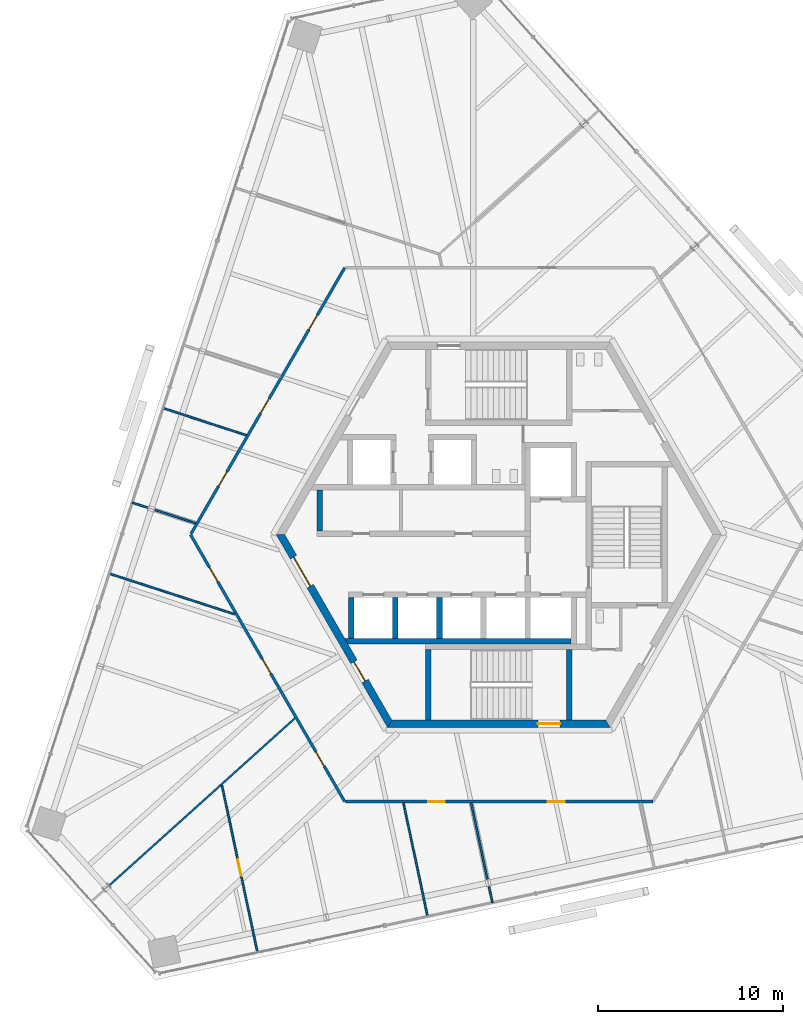
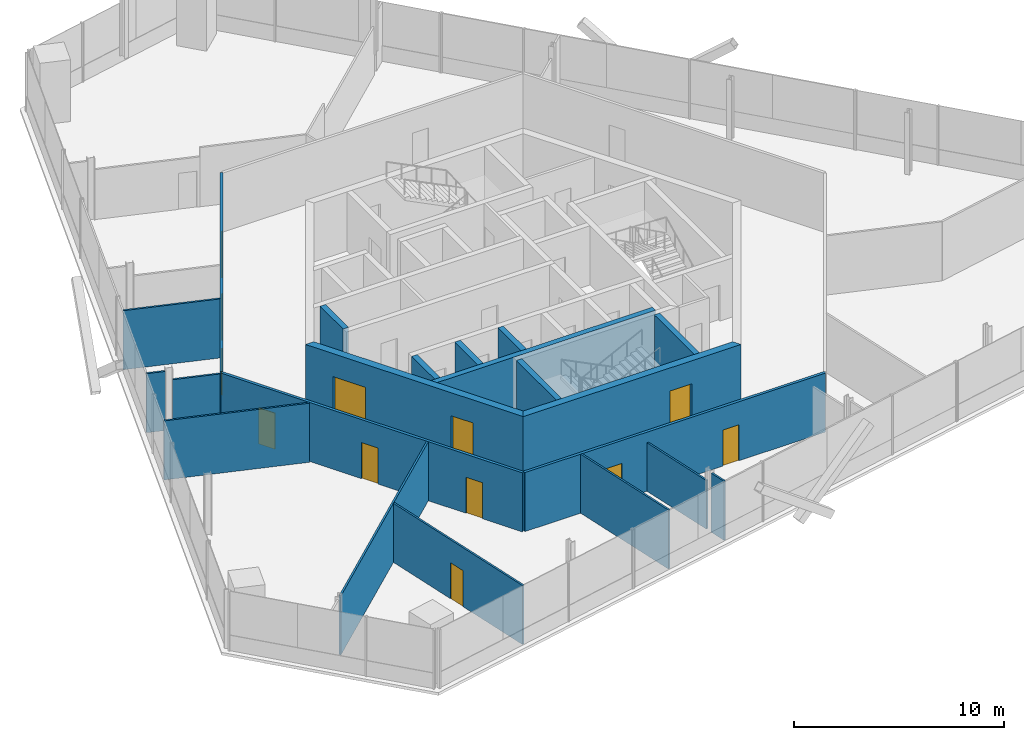
# One storey, part 10 of 15: 21 walls, 12 doors, 12 openings.
"""IFC4 building model written with IfcOpenShell, lengths in metres."""

from ifc_helpers import new_model, si_unit, direction, frame, frame_2d, origin, place, context, subcontext, project, spatial, polyline, rectangle, outline, extrude, source, transform, mapped, material, layer, layer_set, type_object, element, fill, save


model = new_model("IFC4")

# Units and contexts
model_context = context("Model", 3, precision=1e-05, world=origin(), true_north=direction((0.0, 1.0)))
body_context = subcontext(model_context, "Body", "Model", "MODEL_VIEW")
ifc_project = project(units=[si_unit("LENGTHUNIT", "METRE"), si_unit("AREAUNIT", "SQUARE_METRE"), si_unit("VOLUMEUNIT", "CUBIC_METRE"), si_unit("PLANEANGLEUNIT", "RADIAN"), si_unit("MASSUNIT", "GRAM", prefix="KILO")], contexts=[model_context])

# Site, building, storey
site_placement = place(None, origin())
site = spatial("IfcSite", under=ifc_project, at=site_placement, CompositionType="ELEMENT")
building_placement = place(site_placement, origin())
building = spatial("IfcBuilding", under=site, at=building_placement, Name="Triune Harvest Tower", CompositionType="ELEMENT")
storey_placement = place(building_placement, frame((0.0, 0.0, 277.5)))
storey = spatial("IfcBuildingStorey", under=building, at=storey_placement, Name="L73", CompositionType="ELEMENT", Elevation=277.5)

# Wall, openings, doors
ifc_material_1 = material(Name="Gypsum board on steel studs", Category="steel")
ifc_layer_1 = layer(ifc_material_1, 0.14990234375)
ifc_layer_set_1 = layer_set([ifc_layer_1], Name="Gypsum board on steel studs")
wall_type_1 = type_object("IfcWallType", Name="Fire Partition 150 mm", PredefinedType="PARTITIONING", material=ifc_layer_set_1)
wall_1_placement = place(storey_placement, frame((-16.618896484375, 0.0, 0.0), z_axis=(0.0, 0.0, 1.0), x_axis=(0.500006878248, -0.86602143259, 0.0)))
wall_1 = element("IfcWall", 1, at=wall_1_placement, inside=storey, type_object=wall_type_1, Name="Partition L73 009", PredefinedType="PARTITIONING", context=body_context, shape_type="SweptSolid", body=[
    extrude(rectangle(XDim=16.618896484375, YDim=0.14990234375, at=frame_2d((8.3095703125, 0.0))), origin(), (0.0, 0.0, 1.0), 3.43994140625),
])
opening_1_placement = place(wall_1_placement, frame((7.750732421875, 0.0, 0.0)))
opening_1 = element("IfcOpeningElement", 2, at=opening_1_placement, cuts=wall_1, Name="Opening L73-007", PredefinedType="OPENING", context=body_context, shape_type="SweptSolid", body=[
    extrude(rectangle(XDim=0.89990234375, YDim=2.10009765625, at=frame_2d((0.449951171875, 1.050048828125))), frame((0.0, 0.0849609375, 0.0), z_axis=(0.0, -1.0, 0.0), x_axis=(1.0, 0.0, 0.0)), (0.0, 0.0, 1.0), 0.169921875),
])
opening_2_placement = place(wall_1_placement, frame((2.050048828125, 0.0, 0.0)))
opening_2 = element("IfcOpeningElement", 3, at=opening_2_placement, cuts=wall_1, Name="Opening L73-008", PredefinedType="OPENING", context=body_context, shape_type="SweptSolid", body=[
    extrude(rectangle(XDim=0.89990234375, YDim=2.10009765625, at=frame_2d((0.449951171875, 1.050048828125))), frame((0.0, 0.0849609375, 0.0), z_axis=(0.0, -1.0, 0.0), x_axis=(1.0, 0.0, 0.0)), (0.0, 0.0, 1.0), 0.169921875),
])
opening_3_placement = place(wall_1_placement, frame((13.518798828125, 0.0, 0.0)))
opening_3 = element("IfcOpeningElement", 4, at=opening_3_placement, cuts=wall_1, Name="Opening L73-010", PredefinedType="OPENING", context=body_context, shape_type="SweptSolid", body=[
    extrude(rectangle(XDim=0.89990234375, YDim=2.10009765625, at=frame_2d((0.449951171875, 1.050048828125))), frame((0.0, 0.0849609375, 0.0), z_axis=(0.0, -1.0, 0.0), x_axis=(1.0, 0.0, 0.0)), (0.0, 0.0, 1.0), 0.169921875),
])
ifc_material_2 = material(Name="Timber and steel door set", Category="steel")
door_type_1 = type_object("IfcDoorType", Name="Single leaf door FD30 left hand 900 x 2100", OperationType="SINGLE_SWING_LEFT", PredefinedType="DOOR", material=ifc_material_2)
door_1_placement = place(opening_3_placement, origin())
door_1 = element("IfcDoor", 5, at=door_1_placement, inside=storey, type_object=door_type_1, Name="Door L73-010 Office 73.10", OperationType="SINGLE_SWING_LEFT", OverallHeight=2.10009765625, OverallWidth=0.89990234375, PredefinedType="DOOR", context=body_context, shape_type="SweptSolid", body=[
    extrude(rectangle(XDim=0.89990234375, YDim=2.10009765625, at=frame_2d((0.449951171875, 1.050048828125))), frame((0.0, 0.02490234375, 0.0), z_axis=(0.0, -1.0, 0.0), x_axis=(1.0, 0.0, 0.0)), (0.0, 0.0, 1.0), 0.050048828125),
])
fill(opening_3, door_1)
ifc_material_3 = material(Name="Timber and steel door set", Category="steel")
door_type_2 = type_object("IfcDoorType", Name="Single leaf door FD30 right hand 900 x 2100", OperationType="SINGLE_SWING_RIGHT", PredefinedType="DOOR", material=ifc_material_3)
door_2_placement = place(opening_1_placement, origin())
door_2 = element("IfcDoor", 6, at=door_2_placement, inside=storey, type_object=door_type_2, Name="Door L73-007 Office 73.07", OperationType="SINGLE_SWING_RIGHT", OverallHeight=2.10009765625, OverallWidth=0.89990234375, PredefinedType="DOOR", context=body_context, shape_type="SweptSolid", body=[
    extrude(rectangle(XDim=0.89990234375, YDim=2.10009765625, at=frame_2d((0.449951171875, 1.050048828125))), frame((0.0, 0.02490234375, 0.0), z_axis=(0.0, -1.0, 0.0), x_axis=(1.0, 0.0, 0.0)), (0.0, 0.0, 1.0), 0.050048828125),
])
fill(opening_1, door_2)
door_3_placement = place(opening_2_placement, origin())
door_3 = element("IfcDoor", 7, at=door_3_placement, inside=storey, type_object=door_type_2, Name="Door L73-008 Office 73.08", OperationType="SINGLE_SWING_RIGHT", OverallHeight=2.10009765625, OverallWidth=0.89990234375, PredefinedType="DOOR", context=body_context, shape_type="SweptSolid", body=[
    extrude(rectangle(XDim=0.89990234375, YDim=2.10009765625, at=frame_2d((0.449951171875, 1.050048828125))), frame((0.0, 0.02490234375, 0.0), z_axis=(0.0, -1.0, 0.0), x_axis=(1.0, 0.0, 0.0)), (0.0, 0.0, 1.0), 0.050048828125),
])
fill(opening_2, door_3)

# Wall, opening, door
ifc_material_4 = material(Name="Gypsum board on steel studs", Category="steel")
ifc_layer_2 = layer(ifc_material_4, 0.10009765625)
ifc_layer_set_2 = layer_set([ifc_layer_2], Name="Gypsum board on steel studs")
wall_type_2 = type_object("IfcWallType", Name="Partition 100 mm", PredefinedType="PARTITIONING", material=ifc_layer_set_2)
wall_2_placement = place(storey_placement, frame((-14.927001953125, -13.51025390625, 0.0), z_axis=(0.0, 0.0, 1.0), x_axis=(0.207928123615, -0.978144107691, 0.0)))
wall_2 = element("IfcWall", 8, at=wall_2_placement, inside=storey, type_object=wall_type_2, Name="Partition L73 001", PredefinedType="PARTITIONING", context=body_context, shape_type="SweptSolid", body=[
    extrude(rectangle(XDim=9.21826171875, YDim=0.10009765625, at=frame_2d((4.609130859375, 0.0))), origin(), (0.0, 0.0, 1.0), 3.43994140625),
])
opening_4_placement = place(wall_2_placement, frame((4.090087890625, 0.0, 0.0)))
opening_4 = element("IfcOpeningElement", 9, at=opening_4_placement, cuts=wall_2, Name="Opening L73-009", PredefinedType="OPENING", context=body_context, shape_type="SweptSolid", body=[
    extrude(rectangle(XDim=0.89990234375, YDim=2.10009765625, at=frame_2d((0.449951171875, 1.050048828125))), frame((0.0, 0.06005859375, 0.0), z_axis=(0.0, -1.0, 0.0), x_axis=(1.0, 0.0, 0.0)), (0.0, 0.0, 1.0), 0.1201171875),
])
ifc_material_5 = material(Name="Timber and steel door set", Category="steel")
door_type_3 = type_object("IfcDoorType", Name="Single leaf door right hand 900 x 2100", OperationType="SINGLE_SWING_RIGHT", PredefinedType="DOOR", material=ifc_material_5)
door_4_placement = place(opening_4_placement, origin())
door_4 = element("IfcDoor", 10, at=door_4_placement, inside=storey, type_object=door_type_3, Name="Door L73-009 Project Room 73.09", OperationType="SINGLE_SWING_RIGHT", OverallHeight=2.10009765625, OverallWidth=0.89990234375, PredefinedType="DOOR", context=body_context, shape_type="SweptSolid", body=[
    extrude(rectangle(XDim=0.89990234375, YDim=2.10009765625, at=frame_2d((0.449951171875, 1.050048828125))), frame((0.0, 0.02490234375, 0.0), z_axis=(0.0, -1.0, 0.0), x_axis=(1.0, 0.0, 0.0)), (0.0, 0.0, 1.0), 0.050048828125),
])
fill(opening_4, door_4)

# Walls
wall_3_placement = place(storey_placement, frame((-5.14111328125, -14.460693359375, 0.0), z_axis=(0.0, 0.0, 1.0), x_axis=(0.207910579083, -0.97814783704, 0.0)))
element("IfcWall", 11, at=wall_3_placement, inside=storey, type_object=wall_type_2, Name="Partition L73 002", PredefinedType="PARTITIONING", context=body_context, shape_type="SweptSolid", body=[
    extrude(rectangle(XDim=6.254150390625, YDim=0.10009765625, at=frame_2d((3.126953125, 0.0))), origin(), (0.0, 0.0, 1.0), 3.43994140625),
])
wall_4_placement = place(storey_placement, frame((-21.0048828125, -2.09326171875, 0.0), z_axis=(0.0, 0.0, 1.0), x_axis=(0.951062616585, -0.308998218982, 0.0)))
element("IfcWall", 12, at=wall_4_placement, inside=storey, type_object=wall_type_2, Name="Partition L73 011", PredefinedType="PARTITIONING", context=body_context, shape_type="SweptSolid", body=[
    extrude(rectangle(XDim=7.1005859375, YDim=0.10009765625, at=frame_2d((3.55029296875, 0.0))), origin(), (0.0, 0.0, 1.0), 3.43994140625),
])
wall_5_placement = place(storey_placement, frame((-18.10791015625, 6.822509765625, 0.0), z_axis=(0.0, 0.0, 1.0), x_axis=(0.951043160702, -0.309058095642, 0.0)))
element("IfcWall", 13, at=wall_5_placement, inside=storey, type_object=wall_type_2, Name="Partition L73 015", PredefinedType="PARTITIONING", context=body_context, shape_type="SweptSolid", body=[
    extrude(rectangle(XDim=4.73583984375, YDim=0.10009765625, at=frame_2d((2.367919921875, 0.0))), origin(), (0.0, 0.0, 1.0), 3.43994140625),
])
wall_6_placement = place(storey_placement, frame((-21.017333984375, -18.924072265625, 0.0), z_axis=(0.0, 0.0, 1.0), x_axis=(0.74314483055, 0.669130600725, 0.0)))
element("IfcWall", 14, at=wall_6_placement, inside=storey, type_object=wall_type_2, Name="Partition L73 025", PredefinedType="PARTITIONING", context=body_context, shape_type="SweptSolid", body=[
    extrude(rectangle(XDim=13.497802734375, YDim=0.10009765625, at=frame_2d((6.7490234375, 0.0))), origin(), (0.0, 0.0, 1.0), 3.43994140625),
])

# Wall, openings, doors
ifc_material_6 = material(Name="Concrete 70 MPa", Category="concrete")
ifc_layer_3 = layer(ifc_material_6, 0.39990234375)
ifc_layer_set_3 = layer_set([ifc_layer_3], Name="Concrete 70 MPa")
wall_type_3 = type_object("IfcWallType", Name="Core wall 400", PredefinedType="SHEAR", material=ifc_layer_set_3)
shared_shape_1 = source(origin(), body_context, "Body", "SweptSolid", [
    extrude(outline(polyline([(-0.115478515625, -0.199951171875), (11.884521484375, -0.199951171875), (11.653564453125, 0.199951171875), (0.115478515625, 0.199951171875), (-0.115478515625, -0.199951171875)])), origin(), (0.0, 0.0, 1.0), 3.43994140625),
])
wall_7_placement = place(storey_placement, frame((-11.76904296875, 0.0, 0.0), z_axis=(0.0, 0.0, 1.0), x_axis=(0.499996592174, -0.866027371285, 0.0)))
wall_7 = element("IfcWall", 15, at=wall_7_placement, inside=storey, type_object=wall_type_3, Name="Hexagon 3 wall", PredefinedType="SHEAR", context=body_context, shape_type="MappedRepresentation", body=[
    mapped(shared_shape_1, transform((0.0, 0.0, 0.0), scale=1.0)),
])
opening_5_placement = place(wall_7_placement, frame((1.404541015625, 0.0, 0.0)))
opening_5 = element("IfcOpeningElement", 16, at=opening_5_placement, cuts=wall_7, Name="Opening CD-LS", PredefinedType="OPENING", context=body_context, shape_type="SweptSolid", body=[
    extrude(rectangle(XDim=1.800048828125, YDim=2.10009765625, at=frame_2d((0.89990234375, 1.050048828125))), frame((0.0, 0.2099609375, 0.0), z_axis=(0.0, -1.0, 0.0), x_axis=(1.0, 0.0, 0.0)), (0.0, 0.0, 1.0), 0.419921875),
])
opening_6_placement = place(wall_7_placement, frame((7.91455078125, 0.0, 0.0)))
opening_6 = element("IfcOpeningElement", 17, at=opening_6_placement, cuts=wall_7, Name="Opening CD-SWP", PredefinedType="OPENING", context=body_context, shape_type="SweptSolid", body=[
    extrude(rectangle(XDim=1.199951171875, YDim=2.10009765625, at=frame_2d((0.60009765625, 1.050048828125))), frame((0.0, 0.2099609375, 0.0), z_axis=(0.0, -1.0, 0.0), x_axis=(1.0, 0.0, 0.0)), (0.0, 0.0, 1.0), 0.419921875),
])
ifc_material_7 = material(Name="Steel S235", Category="steel")
door_type_4 = type_object("IfcDoorType", Name="Lobby door 1800 FD120", OperationType="DOUBLE_DOOR_DOUBLE_SWING", PredefinedType="DOOR", material=ifc_material_7)
door_5_placement = place(opening_5_placement, frame((1.800048828125, 0.0, 0.0), z_axis=(0.0, 0.0, 1.0), x_axis=(-1.0, 0.0, 0.0)))
door_5 = element("IfcDoor", 18, at=door_5_placement, inside=storey, type_object=door_type_4, Name="Door CD-LS", OperationType="DOUBLE_DOOR_DOUBLE_SWING", OverallHeight=2.10009765625, OverallWidth=1.800048828125, PredefinedType="DOOR", context=body_context, shape_type="SweptSolid", body=[
    extrude(rectangle(XDim=1.800048828125, YDim=2.10009765625, at=frame_2d((0.89990234375, 1.050048828125))), frame((0.0, 0.02490234375, 0.0), z_axis=(0.0, -1.0, 0.0), x_axis=(1.0, 0.0, 0.0)), (0.0, 0.0, 1.0), 0.050048828125),
])
fill(opening_5, door_5)
ifc_material_8 = material(Name="Steel S235", Category="steel")
door_type_5 = type_object("IfcDoorType", Name="Service door 1200 FD120", OperationType="SINGLE_SWING_LEFT", PredefinedType="DOOR", material=ifc_material_8)
door_6_placement = place(opening_6_placement, frame((1.199951171875, 0.0, 0.0), z_axis=(0.0, 0.0, 1.0), x_axis=(-1.0, 0.0, 0.0)))
door_6 = element("IfcDoor", 19, at=door_6_placement, inside=storey, type_object=door_type_5, Name="Door CD-SWP", OperationType="SINGLE_SWING_RIGHT", OverallHeight=2.10009765625, OverallWidth=1.199951171875, PredefinedType="DOOR", context=body_context, shape_type="SweptSolid", body=[
    extrude(rectangle(XDim=1.199951171875, YDim=2.10009765625, at=frame_2d((0.60009765625, 1.050048828125))), frame((0.0, 0.02490234375, 0.0), z_axis=(0.0, -1.0, 0.0), x_axis=(1.0, 0.0, 0.0)), (0.0, 0.0, 1.0), 0.050048828125),
])
fill(opening_6, door_6)

# Wall, opening, door
wall_8_placement = place(storey_placement, frame((-5.884521484375, -10.1923828125, 0.0), z_axis=(0.0, 0.0, 1.0), x_axis=(1.0, 0.0, 0.0)))
wall_8 = element("IfcWall", 20, at=wall_8_placement, inside=storey, type_object=wall_type_3, Name="Hexagon 4 wall", PredefinedType="SHEAR", context=body_context, shape_type="MappedRepresentation", body=[
    mapped(shared_shape_1, transform((0.0, 0.0, 0.0), scale=1.0)),
])
opening_7_placement = place(wall_8_placement, frame((7.984619140625, 0.0, 0.0)))
opening_7 = element("IfcOpeningElement", 21, at=opening_7_placement, cuts=wall_8, Name="Opening CD-S2P", PredefinedType="OPENING", context=body_context, shape_type="SweptSolid", body=[
    extrude(rectangle(XDim=1.199951171875, YDim=2.10009765625, at=frame_2d((0.60009765625, 1.050048828125))), frame((0.0, 0.2099609375, 0.0), z_axis=(0.0, -1.0, 0.0), x_axis=(1.0, 0.0, 0.0)), (0.0, 0.0, 1.0), 0.419921875),
])
ifc_material_9 = material(Name="Steel S235", Category="steel")
door_type_6 = type_object("IfcDoorType", Name="Stair door 1200 FD120", OperationType="SINGLE_SWING_LEFT", PredefinedType="DOOR", material=ifc_material_9)
door_7_placement = place(opening_7_placement, frame((1.199951171875, 0.0, 0.0), z_axis=(0.0, 0.0, 1.0), x_axis=(-1.0, 0.0, 0.0)))
door_7 = element("IfcDoor", 22, at=door_7_placement, inside=storey, type_object=door_type_6, Name="Door CD-S2P", OperationType="SINGLE_SWING_RIGHT", OverallHeight=2.10009765625, OverallWidth=1.199951171875, PredefinedType="DOOR", context=body_context, shape_type="SweptSolid", body=[
    extrude(rectangle(XDim=1.199951171875, YDim=2.10009765625, at=frame_2d((0.60009765625, 1.050048828125))), frame((0.0, 0.02490234375, 0.0), z_axis=(0.0, -1.0, 0.0), x_axis=(1.0, 0.0, 0.0)), (0.0, 0.0, 1.0), 0.050048828125),
])
fill(opening_7, door_7)

# Walls
ifc_material_10 = material(Name="Concrete 70 MPa", Category="concrete")
ifc_layer_4 = layer(ifc_material_10, 0.300048828125)
ifc_layer_set_4 = layer_set([ifc_layer_4], Name="Concrete 70 MPa")
wall_type_4 = type_object("IfcWallType", Name="Core wall 300", PredefinedType="SHEAR", material=ifc_layer_set_4)
shared_shape_2 = source(origin(), body_context, "Body", "SweptSolid", [
    extrude(outline(polyline([(12.0, -0.14990234375), (-0.039794921875, -0.14990234375), (-0.212890625, 0.14990234375), (12.0, 0.14990234375), (12.0, -0.14990234375)])), origin(), (0.0, 0.0, 1.0), 3.43994140625),
])
wall_9_placement = place(storey_placement, frame((-8.10009765625, -5.739990234375, 0.0), z_axis=(0.0, 0.0, 1.0), x_axis=(1.0, 0.0, 0.0)))
element("IfcWall", 23, at=wall_9_placement, inside=storey, type_object=wall_type_4, Name="South back wall", PredefinedType="SHEAR", context=body_context, shape_type="MappedRepresentation", body=[
    mapped(shared_shape_2, transform((0.0, 0.0, 0.0), scale=1.0)),
])
shared_shape_3 = source(origin(), body_context, "Body", "SweptSolid", [
    extrude(rectangle(XDim=2.2001953125, YDim=0.300048828125, at=frame_2d((1.10009765625, 0.0))), origin(), (0.0, 0.0, 1.0), 3.43994140625),
])
for number, where, z_axis, x_axis, name in (
    (24, (-7.949951171875, -5.590087890625, 0.0), (0.0, 0.0, 1.0), (0.0, 1.0, 0.0), "South end west wall"),
    (25, (-5.574951171875, -5.590087890625, 0.0), (0.0, 0.0, 1.0), (0.0, 1.0, 0.0), "South cross 1 wall"),
    (26, (-3.199951171875, -5.590087890625, 0.0), (0.0, 0.0, 1.0), (0.0, 1.0, 0.0), "South cross 2 wall"),
):
    element("IfcWall", number, at=place(storey_placement, frame(where, z_axis=z_axis, x_axis=x_axis)), inside=storey, type_object=wall_type_4, Name=name, PredefinedType="SHEAR", context=body_context, shape_type="MappedRepresentation", body=[
        mapped(shared_shape_3, transform((0.0, 0.0, 0.0), scale=1.0)),
    ])
shared_shape_4 = source(origin(), body_context, "Body", "SweptSolid", [
    extrude(rectangle(XDim=2.199951171875, YDim=0.300048828125, at=frame_2d((1.10009765625, 0.0))), origin(), (0.0, 0.0, 1.0), 3.43994140625),
])
wall_10_placement = place(storey_placement, frame((-9.64990234375, 0.2099609375, 0.0), z_axis=(0.0, 0.0, 1.0), x_axis=(0.0, 1.0, 0.0)))
element("IfcWall", 27, at=wall_10_placement, inside=storey, type_object=wall_type_4, Name="North end west wall", PredefinedType="SHEAR", context=body_context, shape_type="MappedRepresentation", body=[
    mapped(shared_shape_4, transform((0.0, 0.0, 0.0), scale=1.0)),
])
shared_shape_5 = source(origin(), body_context, "Body", "SweptSolid", [
    extrude(outline(polyline([(3.800048828125, -0.14990234375), (-0.00439453125, -0.14990234375), (-0.00439453125, 0.14990234375), (3.800048828125, 0.14990234375), (3.800048828125, -0.14990234375)])), origin(), (0.0, 0.0, 1.0), 3.43994140625),
])
for number, where, z_axis, x_axis, name in (
    (28, (-3.800048828125, -9.989990234375, 0.0), (0.0, 0.0, 1.0), (0.0, 1.0, 0.0), "Stair s west wall"),
    (29, (3.800048828125, -9.989990234375, 0.0), (0.0, 0.0, 1.0), (0.0, 1.0, 0.0), "Stair s east wall"),
):
    element("IfcWall", number, at=place(storey_placement, frame(where, z_axis=z_axis, x_axis=x_axis)), inside=storey, type_object=wall_type_4, Name=name, PredefinedType="SHEAR", context=body_context, shape_type="MappedRepresentation", body=[
        mapped(shared_shape_5, transform((0.0, 0.0, 0.0), scale=1.0)),
    ])
shared_shape_6 = source(origin(), body_context, "Body", "SweptSolid", [
    extrude(rectangle(XDim=0.91552734375, YDim=0.10009765625, at=frame_2d((0.457763671875, 0.0))), origin(), (0.0, 0.0, 1.0), 3.43994140625),
])
wall_11_placement = place(storey_placement, frame((-0.537841796875, -18.940185546875, 0.0), z_axis=(0.0, 0.0, 1.0), x_axis=(0.207743933161, -0.978183243689, 0.0)))
element("IfcWall", 30, at=wall_11_placement, inside=storey, type_object=wall_type_2, Name="Partition L73 004", PredefinedType="PARTITIONING", context=body_context, shape_type="MappedRepresentation", body=[
    mapped(shared_shape_6, transform((0.0, 0.0, 0.0), scale=1.0)),
])
shared_shape_7 = source(origin(), body_context, "Body", "SweptSolid", [
    extrude(rectangle(XDim=0.915283203125, YDim=0.10009765625, at=frame_2d((0.45751953125, 0.0))), origin(), (0.0, 0.0, 1.0), 3.43994140625),
])
wall_12_placement = place(storey_placement, frame((-19.76318359375, 1.727783203125, 0.0), z_axis=(0.0, 0.0, 1.0), x_axis=(0.951004658838, -0.309176549675, 0.0)))
element("IfcWall", 31, at=wall_12_placement, inside=storey, type_object=wall_type_2, Name="Partition L73 012", PredefinedType="PARTITIONING", context=body_context, shape_type="MappedRepresentation", body=[
    mapped(shared_shape_7, transform((0.0, 0.0, 0.0), scale=1.0)),
])
shared_shape_8 = source(origin(), body_context, "Body", "SweptSolid", [
    extrude(rectangle(XDim=4.239013671875, YDim=0.10009765625, at=frame_2d((2.11962890625, 0.0))), origin(), (0.0, 0.0, 1.0), 2.827880859375),
])
wall_13_placement = place(storey_placement, frame((-1.489990234375, -14.460693359375, 0.0), z_axis=(0.0, 0.0, 1.0), x_axis=(0.207908349196, -0.978148311011, 0.0)))
element("IfcWall", 32, at=wall_13_placement, inside=storey, type_object=wall_type_2, Name="Partition L73 003", PredefinedType="PARTITIONING", context=body_context, shape_type="MappedRepresentation", body=[
    mapped(shared_shape_8, transform((0.0, 0.0, 0.0), scale=1.0)),
])
shared_shape_9 = source(origin(), body_context, "Body", "SweptSolid", [
    extrude(rectangle(XDim=2.34130859375, YDim=0.10009765625, at=frame_2d((1.170654296875, 0.0))), origin(), (0.0, 0.0, 1.0), 2.904052734375),
])
wall_14_placement = place(storey_placement, frame((-18.56884765625, 1.339599609375, 0.0), z_axis=(0.0, 0.0, 1.0), x_axis=(0.951074673379, -0.30896110703, 0.0)))
element("IfcWall", 33, at=wall_14_placement, inside=storey, type_object=wall_type_2, Name="Partition L73 013", PredefinedType="PARTITIONING", context=body_context, shape_type="MappedRepresentation", body=[
    mapped(shared_shape_9, transform((0.0, 0.0, 0.0), scale=1.0)),
])

# Wall, openings, doors
shared_shape_10 = source(origin(), body_context, "Body", "SweptSolid", [
    extrude(rectangle(XDim=16.56884765625, YDim=0.14990234375, at=frame_2d((8.284423828125, 0.0))), origin(), (0.0, 0.0, 1.0), 3.43994140625),
])
wall_15_placement = place(storey_placement, frame((-8.259521484375, -14.392333984375, 0.0), z_axis=(0.0, 0.0, 1.0), x_axis=(1.0, 0.0, 0.0)))
wall_15 = element("IfcWall", 34, at=wall_15_placement, inside=storey, type_object=wall_type_1, Name="Partition L73 021", PredefinedType="PARTITIONING", context=body_context, shape_type="MappedRepresentation", body=[
    mapped(shared_shape_10, transform((0.0, 0.0, 0.0), scale=1.0)),
])
opening_8_placement = place(wall_15_placement, frame((4.453857421875, 0.0, 0.0)))
opening_8 = element("IfcOpeningElement", 35, at=opening_8_placement, cuts=wall_15, Name="Opening L73-011", PredefinedType="OPENING", context=body_context, shape_type="SweptSolid", body=[
    extrude(rectangle(XDim=0.89990234375, YDim=2.10009765625, at=frame_2d((0.449951171875, 1.050048828125))), frame((0.0, 0.0849609375, 0.0), z_axis=(0.0, -1.0, 0.0), x_axis=(1.0, 0.0, 0.0)), (0.0, 0.0, 1.0), 0.169921875),
])
opening_9_placement = place(wall_15_placement, frame((10.90478515625, 0.0, 0.0)))
opening_9 = element("IfcOpeningElement", 36, at=opening_9_placement, cuts=wall_15, Name="Opening L73-012", PredefinedType="OPENING", context=body_context, shape_type="SweptSolid", body=[
    extrude(rectangle(XDim=0.89990234375, YDim=2.10009765625, at=frame_2d((0.449951171875, 1.050048828125))), frame((0.0, 0.0849609375, 0.0), z_axis=(0.0, -1.0, 0.0), x_axis=(1.0, 0.0, 0.0)), (0.0, 0.0, 1.0), 0.169921875),
])
door_8_placement = place(opening_9_placement, origin())
door_8 = element("IfcDoor", 37, at=door_8_placement, inside=storey, type_object=door_type_1, Name="Door L73-012 Board Room 73.12", OperationType="SINGLE_SWING_LEFT", OverallHeight=2.10009765625, OverallWidth=0.89990234375, PredefinedType="DOOR", context=body_context, shape_type="SweptSolid", body=[
    extrude(rectangle(XDim=0.89990234375, YDim=2.10009765625, at=frame_2d((0.449951171875, 1.050048828125))), frame((0.0, 0.02490234375, 0.0), z_axis=(0.0, -1.0, 0.0), x_axis=(1.0, 0.0, 0.0)), (0.0, 0.0, 1.0), 0.050048828125),
])
fill(opening_9, door_8)
door_9_placement = place(opening_8_placement, origin())
door_9 = element("IfcDoor", 38, at=door_9_placement, inside=storey, type_object=door_type_2, Name="Door L73-011 Office 73.11", OperationType="SINGLE_SWING_RIGHT", OverallHeight=2.10009765625, OverallWidth=0.89990234375, PredefinedType="DOOR", context=body_context, shape_type="SweptSolid", body=[
    extrude(rectangle(XDim=0.89990234375, YDim=2.10009765625, at=frame_2d((0.449951171875, 1.050048828125))), frame((0.0, 0.02490234375, 0.0), z_axis=(0.0, -1.0, 0.0), x_axis=(1.0, 0.0, 0.0)), (0.0, 0.0, 1.0), 0.050048828125),
])
fill(opening_8, door_9)

wall_16_placement = place(storey_placement, frame((-16.593994140625, 0.043212890625, 0.0), z_axis=(0.0, 0.0, 1.0), x_axis=(0.500015390147, 0.866016518097, 0.0)))
wall_16 = element("IfcWall", 39, at=wall_16_placement, inside=storey, type_object=wall_type_1, Name="Partition L73 031", PredefinedType="PARTITIONING", context=body_context, shape_type="MappedRepresentation", body=[
    mapped(shared_shape_10, transform((0.0, 0.0, 0.0), scale=1.0)),
])
opening_10_placement = place(wall_16_placement, frame((12.718994140625, 0.0, 0.0)))
opening_10 = element("IfcOpeningElement", 40, at=opening_10_placement, cuts=wall_16, Name="Opening L73-004", PredefinedType="OPENING", context=body_context, shape_type="SweptSolid", body=[
    extrude(rectangle(XDim=0.89990234375, YDim=2.10009765625, at=frame_2d((0.449951171875, 1.050048828125))), frame((0.0, 0.0849609375, 0.0), z_axis=(0.0, -1.0, 0.0), x_axis=(1.0, 0.0, 0.0)), (0.0, 0.0, 1.0), 0.169921875),
])
opening_11_placement = place(wall_16_placement, frame((2.963134765625, 0.0, 0.0)))
opening_11 = element("IfcOpeningElement", 41, at=opening_11_placement, cuts=wall_16, Name="Opening L73-005", PredefinedType="OPENING", context=body_context, shape_type="SweptSolid", body=[
    extrude(rectangle(XDim=0.89990234375, YDim=2.10009765625, at=frame_2d((0.449951171875, 1.050048828125))), frame((0.0, 0.0849609375, 0.0), z_axis=(0.0, -1.0, 0.0), x_axis=(1.0, 0.0, 0.0)), (0.0, 0.0, 1.0), 0.169921875),
])
opening_12_placement = place(wall_16_placement, frame((7.51416015625, 0.0, 0.0)))
opening_12 = element("IfcOpeningElement", 42, at=opening_12_placement, cuts=wall_16, Name="Opening L73-006", PredefinedType="OPENING", context=body_context, shape_type="SweptSolid", body=[
    extrude(rectangle(XDim=0.89990234375, YDim=2.10009765625, at=frame_2d((0.449951171875, 1.050048828125))), frame((0.0, 0.0849609375, 0.0), z_axis=(0.0, -1.0, 0.0), x_axis=(1.0, 0.0, 0.0)), (0.0, 0.0, 1.0), 0.169921875),
])
door_10_placement = place(opening_11_placement, origin())
door_10 = element("IfcDoor", 43, at=door_10_placement, inside=storey, type_object=door_type_1, Name="Door L73-005 Office 73.05", OperationType="SINGLE_SWING_LEFT", OverallHeight=2.10009765625, OverallWidth=0.89990234375, PredefinedType="DOOR", context=body_context, shape_type="SweptSolid", body=[
    extrude(rectangle(XDim=0.89990234375, YDim=2.10009765625, at=frame_2d((0.449951171875, 1.050048828125))), frame((0.0, 0.02490234375, 0.0), z_axis=(0.0, -1.0, 0.0), x_axis=(1.0, 0.0, 0.0)), (0.0, 0.0, 1.0), 0.050048828125),
])
fill(opening_11, door_10)
door_11_placement = place(opening_12_placement, origin())
door_11 = element("IfcDoor", 44, at=door_11_placement, inside=storey, type_object=door_type_1, Name="Door L73-006 Office 73.06", OperationType="SINGLE_SWING_LEFT", OverallHeight=2.10009765625, OverallWidth=0.89990234375, PredefinedType="DOOR", context=body_context, shape_type="SweptSolid", body=[
    extrude(rectangle(XDim=0.89990234375, YDim=2.10009765625, at=frame_2d((0.449951171875, 1.050048828125))), frame((0.0, 0.02490234375, 0.0), z_axis=(0.0, -1.0, 0.0), x_axis=(1.0, 0.0, 0.0)), (0.0, 0.0, 1.0), 0.050048828125),
])
fill(opening_12, door_11)
door_12_placement = place(opening_10_placement, origin())
door_12 = element("IfcDoor", 45, at=door_12_placement, inside=storey, type_object=door_type_2, Name="Door L73-004 Pantry 73.04", OperationType="SINGLE_SWING_RIGHT", OverallHeight=2.10009765625, OverallWidth=0.89990234375, PredefinedType="DOOR", context=body_context, shape_type="SweptSolid", body=[
    extrude(rectangle(XDim=0.89990234375, YDim=2.10009765625, at=frame_2d((0.449951171875, 1.050048828125))), frame((0.0, 0.02490234375, 0.0), z_axis=(0.0, -1.0, 0.0), x_axis=(1.0, 0.0, 0.0)), (0.0, 0.0, 1.0), 0.050048828125),
])
fill(opening_10, door_12)

save(model, "model.ifc")
